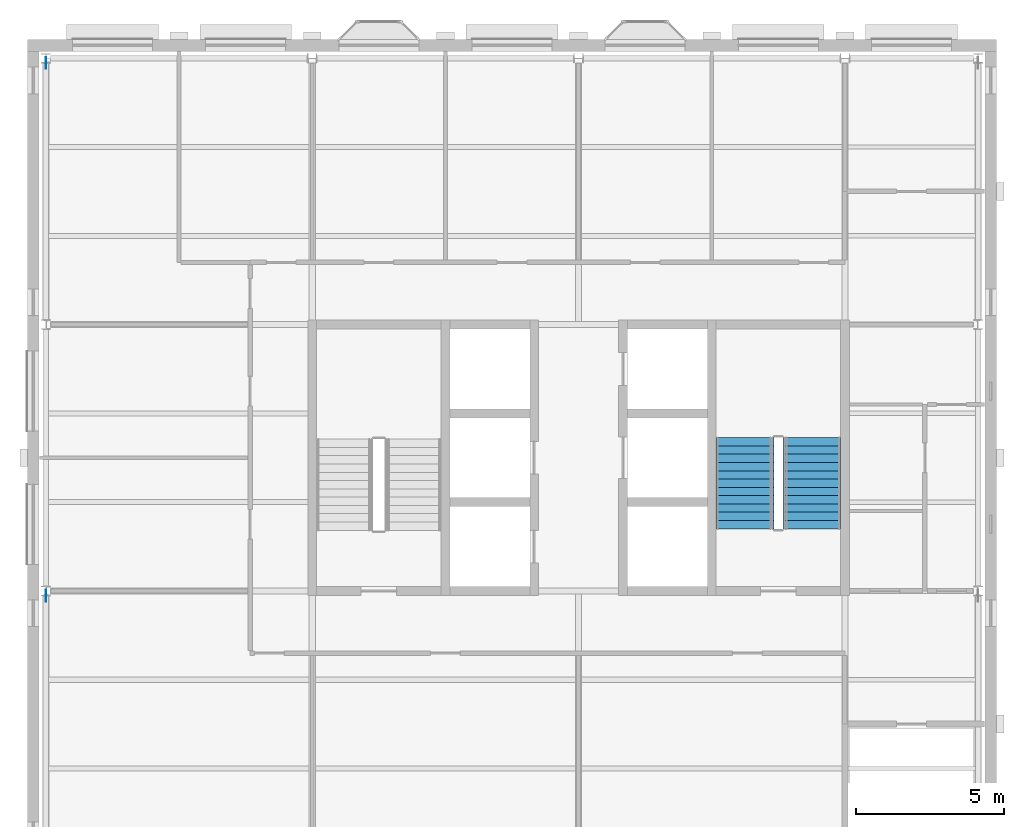
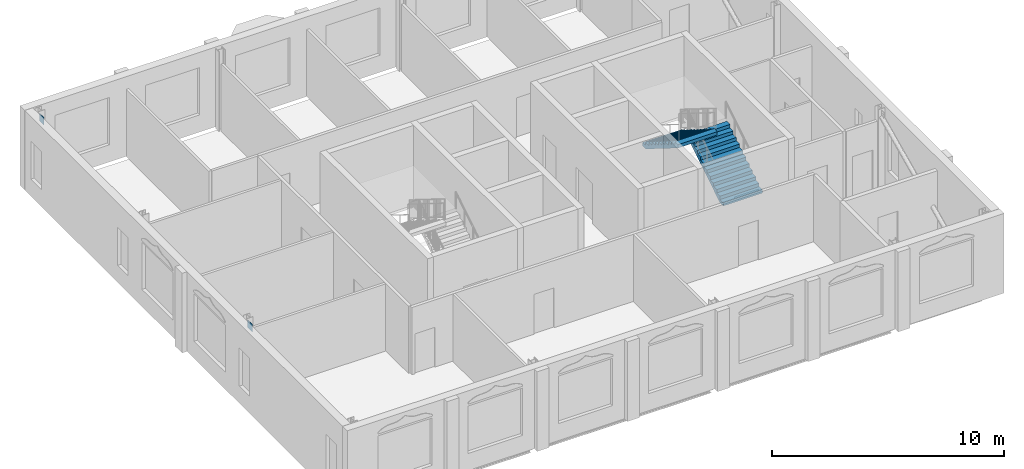
# One storey, part 6 of 9: 2 discrete accessories, 2 stair flights, 1 element without a shape of its own.
"""IFC4 building model written with IfcOpenShell, lengths in metres."""

import ifcopenshell
import ifcopenshell.guid

model = None  # the IFC model being written
_history = None  # IfcOwnerHistory: only IFC2X3 demands one
_inside = {}  # id of a spatial element -> (the spatial element, [elements in it])
_under = {}  # id of a project, library or spatial element -> (it, [spatial elements below it])
_declared = {}  # id of a project -> (the project, [libraries it declares])
_typed = {}  # id of a type object -> (the type object, [elements of that type])
_made_of = {}  # id of a material, layer set ... -> (it, [elements and type objects made of it])


def new_model(schema):
    """Start an empty IFC model of exactly this schema.

    Asked for "IFC4X3", IfcOpenShell would pick the latest addendum, in which some entities
    have other attributes; the version numbers below select the first issue.
    IFC2X3 requires an IfcOwnerHistory on every rooted entity: one is made here for all.
    """
    global model, _history
    if schema == "IFC4X3":
        model = ifcopenshell.file(schema_version=(4, 3, 0, 0))
    else:
        model = ifcopenshell.file(schema=schema)
    _inside.clear()
    _under.clear()
    _declared.clear()
    _typed.clear()
    _made_of.clear()
    _history = None
    if model.schema == "IFC2X3":
        org = make("IfcOrganization", Name="unknown")
        user = make(
            "IfcPersonAndOrganization",
            ThePerson=make("IfcPerson", FamilyName="unknown"),
            TheOrganization=org,
        )
        app = make(
            "IfcApplication",
            ApplicationDeveloper=org,
            Version="unknown",
            ApplicationFullName="unknown",
            ApplicationIdentifier="unknown",
        )
        _history = make(
            "IfcOwnerHistory",
            OwningUser=user,
            OwningApplication=app,
            ChangeAction="ADDED",
            CreationDate=0,
        )
    return model


def make(cls, **values):
    """One entity of the class cls with the attributes given. An attribute that is None is left unset."""
    return model.create_entity(
        cls, **{name: value for name, value in values.items() if value is not None}
    )


def rooted(cls, **values):
    """An entity with a GlobalId (a new one), such as an element, a storey or a relation."""
    return make(cls, GlobalId=ifcopenshell.guid.new(), OwnerHistory=_history, **values)


def si_unit(unit_type, name, prefix=None):
    """IfcSIUnit, for example si_unit("LENGTHUNIT", "METRE", prefix="MILLI")."""
    return make("IfcSIUnit", UnitType=unit_type, Prefix=prefix, Name=name)


def assignment(units):
    """IfcUnitAssignment: the units of a project."""
    return None if units is None else make("IfcUnitAssignment", Units=units)


def point(xyz):
    """IfcCartesianPoint."""
    return None if xyz is None else make("IfcCartesianPoint", Coordinates=xyz)


def direction(xyz):
    """IfcDirection."""
    return None if xyz is None else make("IfcDirection", DirectionRatios=xyz)


def frame(location, z_axis=None, x_axis=None):
    """IfcAxis2Placement3D, a coordinate frame: its origin and axes. An axis left out is left unset."""
    return make(
        "IfcAxis2Placement3D",
        Location=point(location),
        Axis=direction(z_axis),
        RefDirection=direction(x_axis),
    )


def frame_2d(location, x_axis=None):
    """IfcAxis2Placement2D, a coordinate frame in the plane: its origin and x axis."""
    return make(
        "IfcAxis2Placement2D", Location=point(location), RefDirection=direction(x_axis)
    )


def origin():
    """The frame at (0, 0, 0) with its axes left unset."""
    return frame((0.0, 0.0, 0.0))


def origin_2d():
    """The frame at (0, 0) in the plane with its x axis left unset."""
    return frame_2d((0.0, 0.0))


def place(relative_to, where):
    """IfcLocalPlacement: puts the frame where relative to a parent placement (None: the world)."""
    return make(
        "IfcLocalPlacement", PlacementRelTo=relative_to, RelativePlacement=where
    )


def context(
    kind, dimensions, precision=None, world=None, true_north=None, identifier=None
):
    """IfcGeometricRepresentationContext, for example the 3D "Model" context."""
    return make(
        "IfcGeometricRepresentationContext",
        ContextIdentifier=identifier,
        ContextType=kind,
        CoordinateSpaceDimension=dimensions,
        Precision=precision,
        WorldCoordinateSystem=world,
        TrueNorth=true_north,
    )


def subcontext(parent, identifier, kind, view, scale=None):
    """IfcGeometricRepresentationSubContext, for example "Body" below "Model"."""
    return make(
        "IfcGeometricRepresentationSubContext",
        ContextIdentifier=identifier,
        ContextType=kind,
        ParentContext=parent,
        TargetScale=scale,
        TargetView=view,
    )


def project(units=None, contexts=None):
    """IfcProject with its units and contexts."""
    return rooted(
        "IfcProject",
        Name="project",
        RepresentationContexts=contexts,
        UnitsInContext=assignment(units),
    )


def spatial(cls, under=None, at=None, **own):
    """A site, building, storey or space (cls), placed at a placement, below another one or the project."""
    s = rooted(cls, ObjectPlacement=at, **own)
    if under is not None:
        _under.setdefault(under.id(), (under, []))[1].append(s)
    return s


def polyline(points):
    """IfcPolyline through the points."""
    return make("IfcPolyline", Points=[point(p) for p in points])


def profile(cls, at=None, kind="AREA", **sizes):
    """A parametric profile (cls). Its sizes go by their IFC names, for example OverallWidth=200.0."""
    return make(cls, ProfileType=kind, Position=at, **sizes)


def rectangle(**sizes):
    """IfcRectangleProfileDef."""
    return profile("IfcRectangleProfileDef", **sizes)


def outline(outer, holes=None, kind="AREA"):
    """IfcArbitraryClosedProfileDef: a profile drawn as a closed curve; with holes, ...WithVoids."""
    if holes is None:
        return make("IfcArbitraryClosedProfileDef", ProfileType=kind, OuterCurve=outer)
    return make(
        "IfcArbitraryProfileDefWithVoids",
        ProfileType=kind,
        OuterCurve=outer,
        InnerCurves=holes,
    )


def extrude(swept, where, along, depth):
    """IfcExtrudedAreaSolid: the profile swept, set in the frame where, extruded along a direction by depth."""
    return make(
        "IfcExtrudedAreaSolid",
        SweptArea=swept,
        Position=where,
        ExtrudedDirection=direction(along),
        Depth=depth,
    )


def shape(context_of_items, identifier, shape_type, items):
    """IfcShapeRepresentation: the items that make up one representation, for example the "Body"."""
    return make(
        "IfcShapeRepresentation",
        ContextOfItems=context_of_items,
        RepresentationIdentifier=identifier,
        RepresentationType=shape_type,
        Items=items,
    )


def material(Name=None, Category=None):
    """IfcMaterial."""
    return make("IfcMaterial", Name=Name, Category=Category)


def layer(
    of_material, thickness, ventilated=None, Name=None, Category=None, Priority=None
):
    """IfcMaterialLayer: one layer of a wall or slab, of a material (None: an air gap)."""
    return make(
        "IfcMaterialLayer",
        Material=of_material,
        LayerThickness=thickness,
        IsVentilated=ventilated,
        Name=Name,
        Category=Category,
        Priority=Priority,
    )


def layer_set(layers, Name=None):
    """IfcMaterialLayerSet."""
    return make("IfcMaterialLayerSet", MaterialLayers=layers, LayerSetName=Name)


def made_of(thing, what):
    """Note that an element or type object is made of a material, layer set ...; save() writes the relation."""
    if what is not None:
        _made_of.setdefault(what.id(), (what, []))[1].append(thing)
    return thing


def type_object(cls, material=None, **own):
    """A type object (cls), such as IfcWallType, which elements share."""
    return made_of(rooted(cls, **own), material)


def element(
    cls,
    number,
    at=None,
    inside=None,
    cuts=None,
    type_object=None,
    material=None,
    context=None,
    identifier="Body",
    shape_type=None,
    held_by="IfcProductDefinitionShape",
    body=None,
    shapes=None,
    **own,
):
    """One element of the class cls, such as IfcWall. Its Tag is "e" and its number.

    at: its placement. inside: the storey or other place that contains it. cuts: it is an
    opening in that element (IfcRelVoidsElement). A single representation is given by context,
    identifier, shape_type and body (its items); several are given by shapes. held_by: the class
    of the entity that holds the representations. save() writes the other relations.
    """
    e = rooted(cls, Tag="e%d" % number, ObjectPlacement=at, **own)
    if body is not None:
        shapes = [shape(context, identifier, shape_type, body)]
    if shapes is not None:
        e.Representation = make(held_by, Representations=shapes)
    if inside is not None:
        _inside.setdefault(inside.id(), (inside, []))[1].append(e)
    if cuts is not None:
        rooted(
            "IfcRelVoidsElement", RelatingBuildingElement=cuts, RelatedOpeningElement=e
        )
    if type_object is not None:
        _typed.setdefault(type_object.id(), (type_object, []))[1].append(e)
    return made_of(e, material)


def aggregate(whole, parts):
    """IfcRelAggregates: a whole, such as a stair, and the parts it consists of."""
    return rooted("IfcRelAggregates", RelatingObject=whole, RelatedObjects=parts)


def save(model, path):
    """Write the relations noted so far, then the file.

    IfcRelAggregates (storeys below a building ...), IfcRelContainedInSpatialStructure (elements
    in a storey), IfcRelDefinesByType, IfcRelAssociatesMaterial and IfcRelDeclares: one each for
    every whole, place, type object, material and project.
    """
    for whole, parts in _under.values():
        aggregate(whole, parts)
    for where, things in _inside.values():
        rooted(
            "IfcRelContainedInSpatialStructure",
            RelatedElements=things,
            RelatingStructure=where,
        )
    for kind, things in _typed.values():
        rooted("IfcRelDefinesByType", RelatedObjects=things, RelatingType=kind)
    for what, things in _made_of.values():
        rooted("IfcRelAssociatesMaterial", RelatedObjects=things, RelatingMaterial=what)
    for by, libraries in _declared.values():
        rooted("IfcRelDeclares", RelatingContext=by, RelatedDefinitions=libraries)
    model.write(path)


model = new_model("IFC4")

# Units and contexts
model_context = context("Model", 3, precision=1e-05, world=origin(), true_north=direction((0.0, 1.0)))
body_context = subcontext(model_context, "Body", "Model", "MODEL_VIEW")
ifc_project = project(units=[si_unit("LENGTHUNIT", "METRE"), si_unit("AREAUNIT", "SQUARE_METRE"), si_unit("VOLUMEUNIT", "CUBIC_METRE"), si_unit("PLANEANGLEUNIT", "RADIAN"), si_unit("MASSUNIT", "GRAM", prefix="KILO")], contexts=[model_context])

# Site, building, storey
site_placement = place(None, origin())
site = spatial("IfcSite", under=ifc_project, at=site_placement, CompositionType="ELEMENT")
building_placement = place(site_placement, origin())
building = spatial("IfcBuilding", under=site, at=building_placement, Name="Hortulan Conservatory and Botanical Research Centre", CompositionType="ELEMENT")
storey_placement = place(building_placement, frame((0.0, 0.0, 57.0)))
storey = spatial("IfcBuildingStorey", under=building, at=storey_placement, Name="L13", CompositionType="ELEMENT", Elevation=57.0)

# Stair, stair flights
ifc_material_1 = material(Name="Concrete N40 (40 MPa, AS 3600)", Category="concrete")
stair_type = type_object("IfcStairType", Name="Concrete Escape Stair 1950", PredefinedType="HALF_TURN_STAIR", material=ifc_material_1)
stair_placement = place(storey_placement, origin())
stair = element("IfcStair", 1, at=stair_placement, inside=storey, type_object=stair_type, Name="Stair T2 L13", PredefinedType="HALF_TURN_STAIR")
ifc_layer = layer(ifc_material_1, 0.14990234375)
ifc_layer_set = layer_set([ifc_layer], Name="Stair Flight 1950 wide, riser 175")
stair_flight_type = type_object("IfcStairFlightType", Name="Stair Flight 1950 wide, riser 175", PredefinedType="STRAIGHT", material=ifc_layer_set)
stair_flight_1_placement = place(storey_placement, frame((25.875, 11.10009765625, 0.0), z_axis=(0.0, 0.0, 1.0), x_axis=(0.0, 1.0, 0.0)))
stair_flight_1 = element("IfcStairFlight", 2, at=stair_flight_1_placement, type_object=stair_flight_type, Name="Stair T2 L13 flight 1", NumberOfRisers=12, NumberOfTreads=11, PredefinedType="STRAIGHT", RiserHeight=0.175, TreadLength=0.28, context=body_context, shape_type="SweptSolid", body=[
    extrude(outline(polyline([(0.0, 0.0), (0.0, 0.175048828125), (0.280029296875, 0.175048828125), (0.280029296875, 0.35009765625), (0.56005859375, 0.35009765625), (0.56005859375, 0.52490234375), (0.840087890625, 0.52490234375), (0.840087890625, 0.699951171875), (1.1201171875, 0.699951171875), (1.1201171875, 0.875), (1.39990234375, 0.875), (1.39990234375, 1.050048828125), (1.679931640625, 1.050048828125), (1.679931640625, 1.22509765625), (1.9599609375, 1.22509765625), (1.9599609375, 1.39990234375), (2.239990234375, 1.39990234375), (2.239990234375, 1.574951171875), (2.52001953125, 1.574951171875), (2.52001953125, 1.75), (2.800048828125, 1.75), (2.800048828125, 1.925048828125), (3.080078125, 1.925048828125), (3.080078125, 2.10009765625), (3.080078125, 1.748291015625), (0.28271484375, 0.0), (0.0, 0.0)])), frame((0.0, 0.97509765625, 0.0), z_axis=(0.0, -1.0, 0.0), x_axis=(1.0, 0.0, 0.0)), (0.0, 0.0, 1.0), 1.949951171875),
])
stair_flight_2_placement = place(storey_placement, frame((23.625, 14.179931640625, 2.10009765625), z_axis=(0.0, 0.0, 1.0), x_axis=(0.0, -1.0, 0.0)))
stair_flight_2 = element("IfcStairFlight", 3, at=stair_flight_2_placement, type_object=stair_flight_type, Name="Stair T2 L13 flight 2", NumberOfRisers=12, NumberOfTreads=11, PredefinedType="STRAIGHT", RiserHeight=0.175, TreadLength=0.28, context=body_context, shape_type="SweptSolid", body=[
    extrude(outline(polyline([(0.0, 0.0), (0.0, 0.175048828125), (0.280029296875, 0.175048828125), (0.280029296875, 0.35009765625), (0.56005859375, 0.35009765625), (0.56005859375, 0.52490234375), (0.840087890625, 0.52490234375), (0.840087890625, 0.699951171875), (1.1201171875, 0.699951171875), (1.1201171875, 0.875), (1.39990234375, 0.875), (1.39990234375, 1.050048828125), (1.679931640625, 1.050048828125), (1.679931640625, 1.22509765625), (1.9599609375, 1.22509765625), (1.9599609375, 1.39990234375), (2.239990234375, 1.39990234375), (2.239990234375, 1.574951171875), (2.52001953125, 1.574951171875), (2.52001953125, 1.75), (2.800048828125, 1.75), (2.800048828125, 1.925048828125), (3.080078125, 1.925048828125), (3.080078125, 2.10009765625), (3.080078125, 1.748291015625), (0.28271484375, 0.0), (0.0, 0.0)])), frame((0.0, 0.97509765625, 0.0), z_axis=(0.0, -1.0, 0.0), x_axis=(1.0, 0.0, 0.0)), (0.0, 0.0, 1.0), 1.949951171875),
])
aggregate(stair, [stair_flight_1, stair_flight_2])

# Discrete accessories
ifc_material_2 = material(Name="Steel Grade 300 plate (AS/NZS 3678, 280 MPa minimum yield)", Category="steel")
discrete_accessory_type = type_object("IfcDiscreteAccessoryType", Name="End Plate 400x16", PredefinedType="BRACKET", material=ifc_material_2)
for number, where, z_axis, x_axis, name in (
    (4, (0.0, 8.839599609375, 3.566650390625), (0.0, 0.0, 1.0), (0.0, -1.0, 0.0), "Brace end plate"),
    (5, (0.0, 26.839599609375, 3.566650390625), (0.0, 0.0, 1.0), (0.0, -1.0, 0.0), "Brace end plate"),
):
    element("IfcDiscreteAccessory", number, at=place(storey_placement, frame(where, z_axis=z_axis, x_axis=x_axis)), inside=storey, type_object=discrete_accessory_type, Name=name, PredefinedType="BRACKET", context=body_context, shape_type="SweptSolid", body=[
        extrude(rectangle(XDim=0.39990234375, YDim=0.01611328125, at=origin_2d()), origin(), (0.0, 0.0, 1.0), 0.39990234375),
    ])

save(model, "model.ifc")
